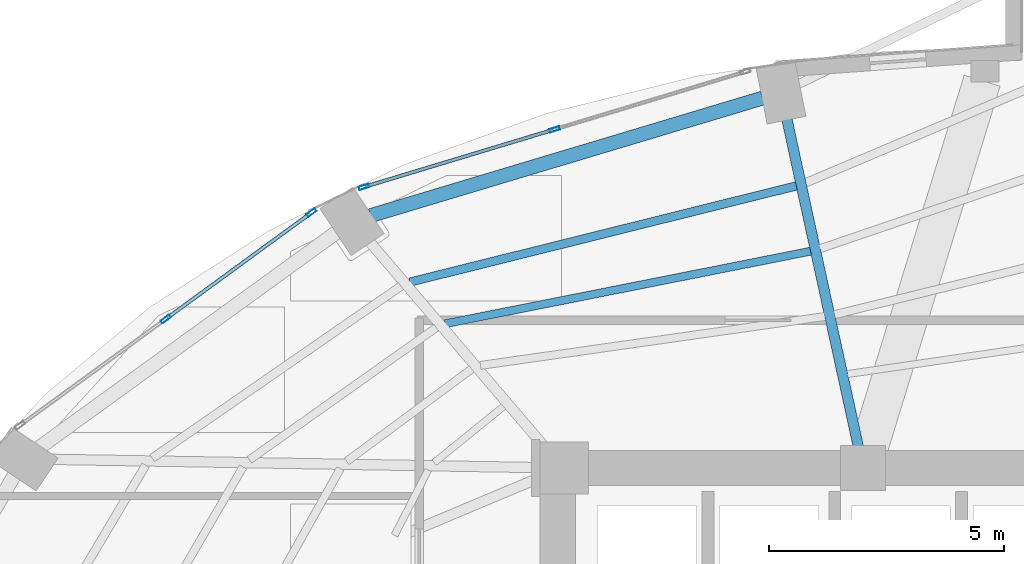
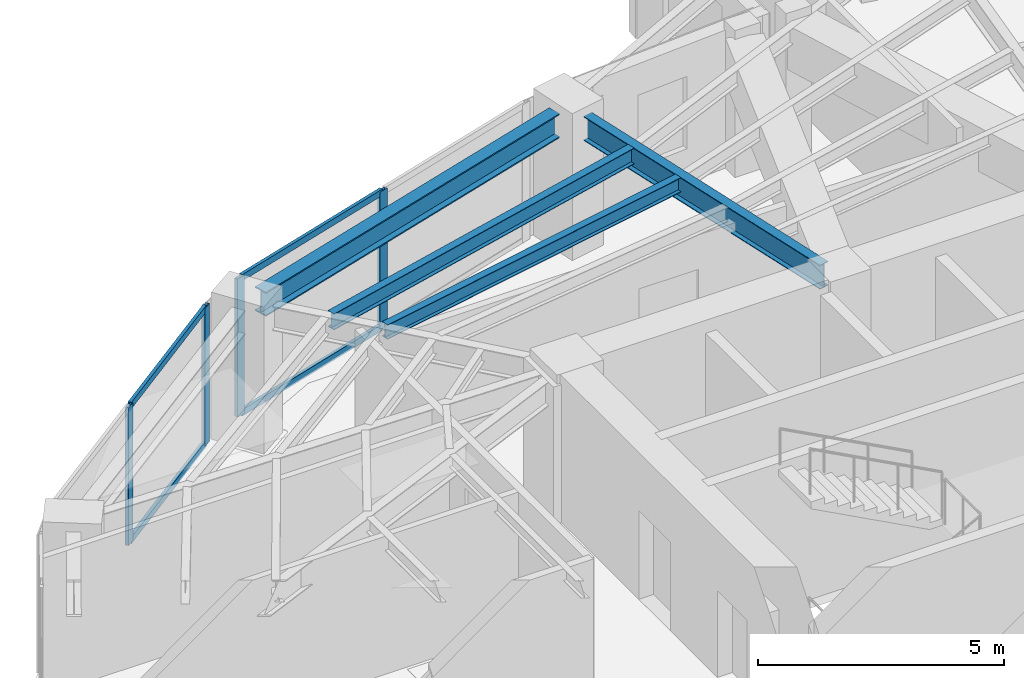
# One storey, part 14 of 23: 8 members, 4 beams, 2 elements without a shape of their own.
"""IFC4 building model written with IfcOpenShell, lengths in metres."""

from ifc_helpers import new_model, si_unit, direction, frame, origin, origin_2d, place, context, subcontext, project, spatial, hollow_rectangle, i_section, extrude, material, layer, layer_set, material_profile, profile_set, type_object, element, aggregate, save


model = new_model("IFC4")

# Units and contexts
model_context = context("Model", 3, precision=1e-05, world=origin(), true_north=direction((0.0, 1.0)))
body_context = subcontext(model_context, "Body", "Model", "MODEL_VIEW")
ifc_project = project(units=[si_unit("LENGTHUNIT", "METRE"), si_unit("AREAUNIT", "SQUARE_METRE"), si_unit("VOLUMEUNIT", "CUBIC_METRE"), si_unit("PLANEANGLEUNIT", "RADIAN"), si_unit("MASSUNIT", "GRAM", prefix="KILO")], contexts=[model_context])

# Site, building, storey
site_placement = place(None, origin())
site = spatial("IfcSite", under=ifc_project, at=site_placement, CompositionType="ELEMENT")
building_placement = place(site_placement, origin())
building = spatial("IfcBuilding", under=site, at=building_placement, Name="Lazwardi Medical Tower", CompositionType="ELEMENT")
storey_placement = place(building_placement, frame((0.0, 0.0, 92.68798828125)))
storey = spatial("IfcBuildingStorey", under=building, at=storey_placement, Name="L23", CompositionType="ELEMENT", Elevation=92.68798828125)

# Beams
ifc_material_1 = material(Name="Steel S355", Category="steel")
ifc_material_profile_1 = material_profile(ifc_material_1, i_section(OverallWidth=0.300048828125, OverallDepth=0.60009765625, WebThickness=0.015380859375, FlangeThickness=0.030029296875, at=origin_2d()), Name="HEB 600")
ifc_profile_set_1 = profile_set([ifc_material_profile_1], Name="Steel S355")
beam_type_1 = type_object("IfcBeamType", Name="BM-RB-Z2", PredefinedType="BEAM", material=ifc_profile_set_1)
beam_1_placement = place(storey_placement, frame((30.661865234375, 43.4794921875, 3.1279296875), z_axis=(-0.957879438442, -0.287170648587, 0.0), x_axis=(0.287170648587, -0.957879438442, 0.0)))
element("IfcBeam", 1, at=beam_1_placement, inside=storey, type_object=beam_type_1, Name="Ring beam RB-03 B09 L23", PredefinedType="BEAM", context=body_context, shape_type="SweptSolid", body=[
    extrude(i_section(OverallWidth=0.300048828125, OverallDepth=0.60009765625, WebThickness=0.015380859375, FlangeThickness=0.030029296875, at=origin_2d()), origin(), (0.0, 0.0, 1.0), 8.719970703125),
])
ifc_material_profile_2 = material_profile(ifc_material_1, i_section(OverallWidth=0.219970703125, OverallDepth=0.60009765625, WebThickness=0.011962890625, FlangeThickness=0.01904296875, at=origin_2d()), Name="IPE 600")
ifc_profile_set_2 = profile_set([ifc_material_profile_2], Name="Steel S355")
beam_type_2 = type_object("IfcBeamType", Name="BM-RG-W1", PredefinedType="BEAM", material=ifc_profile_set_2)
beam_2_placement = place(storey_placement, frame((31.17822265625, 43.03076171875, 3.1279296875), z_axis=(0.213228150441, -0.977002433907, 0.0), x_axis=(0.977002433907, 0.213228150441, 0.0)))
element("IfcBeam", 2, at=beam_2_placement, inside=storey, type_object=beam_type_2, Name="Radial girder RG-02 R09 L23", PredefinedType="BEAM", context=body_context, shape_type="SweptSolid", body=[
    extrude(i_section(OverallWidth=0.219970703125, OverallDepth=0.60009765625, WebThickness=0.011962890625, FlangeThickness=0.01904296875, at=origin_2d()), origin(), (0.0, 0.0, 1.0), 7.145751953125),
])
ifc_material_profile_3 = material_profile(ifc_material_1, i_section(OverallWidth=0.179931640625, OverallDepth=0.39990234375, WebThickness=0.008544921875, FlangeThickness=0.013427734375, at=origin_2d()), Name="IPE 400")
ifc_profile_set_3 = profile_set([ifc_material_profile_3], Name="Steel S355")
beam_type_3 = type_object("IfcBeamType", Name="BM-SJ-01", PredefinedType="JOIST", material=ifc_profile_set_3)
beam_3_placement = place(storey_placement, frame((31.381103515625, 41.609130859375, 3.22802734375), z_axis=(-0.970400881943, -0.241499748081, 0.0), x_axis=(0.241499748081, -0.970400881943, 0.0)))
element("IfcBeam", 3, at=beam_3_placement, inside=storey, type_object=beam_type_3, Name="Secondary joist SJ-01 R1 B09 L23", PredefinedType="JOIST", context=body_context, shape_type="SweptSolid", body=[
    extrude(i_section(OverallWidth=0.179931640625, OverallDepth=0.39990234375, WebThickness=0.008544921875, FlangeThickness=0.013427734375, at=origin_2d()), origin(), (0.0, 0.0, 1.0), 8.48583984375),
])
ifc_material_profile_4 = material_profile(ifc_material_1, i_section(OverallWidth=0.169921875, OverallDepth=0.360107421875, WebThickness=0.008056640625, FlangeThickness=0.0126953125, at=origin_2d()), Name="IPE 360")
ifc_profile_set_4 = profile_set([ifc_material_profile_4], Name="Steel S355")
beam_type_4 = type_object("IfcBeamType", Name="BM-SJ-02", PredefinedType="JOIST", material=ifc_profile_set_4)
beam_4_placement = place(storey_placement, frame((31.684814453125, 40.2177734375, 3.248046875), z_axis=(-0.980878853282, -0.194619308352, 0.0), x_axis=(0.194619308352, -0.980878853282, 0.0)))
element("IfcBeam", 4, at=beam_4_placement, inside=storey, type_object=beam_type_4, Name="Secondary joist SJ-02 R2 B09 L23", PredefinedType="JOIST", context=body_context, shape_type="SweptSolid", body=[
    extrude(i_section(OverallWidth=0.169921875, OverallDepth=0.360107421875, WebThickness=0.008056640625, FlangeThickness=0.0126953125, at=origin_2d()), origin(), (0.0, 0.0, 1.0), 7.93701171875),
])

# Curtain wall, members
ifc_material_2 = material(Name="Anodised bronze aluminium and solar control glazing", Category="aluminium")
ifc_layer = layer(ifc_material_2, 0.195068359375)
ifc_layer_set = layer_set([ifc_layer], Name="Anodised bronze aluminium and solar control glazing")
curtain_wall_type = type_object("IfcCurtainWallType", Name="CW-SYS-03", PredefinedType="NOTDEFINED", material=ifc_layer_set)
curtain_wall_1_placement = place(storey_placement, origin())
curtain_wall_1 = element("IfcCurtainWall", 5, at=curtain_wall_1_placement, inside=storey, type_object=curtain_wall_type, Name="L23 Unitised bronze curtain wall CW-03", PredefinedType="NOTDEFINED")
ifc_material_3 = material(Name="Anodised bronze aluminium", Category="aluminium")
ifc_material_profile_5 = material_profile(ifc_material_3, hollow_rectangle(XDim=0.074951171875, YDim=0.219970703125, WallThickness=0.00390625, at=origin_2d()), Name="ALU-MULLION 220x75x4")
ifc_profile_set_5 = profile_set([ifc_material_profile_5], Name="Anodised bronze aluminium")
member_type_1 = type_object("IfcMemberType", Name="CW-MUL-01", PredefinedType="MULLION", material=ifc_profile_set_5)
member_1_placement = place(storey_placement, frame((26.230712890625, 42.81298828125, 0.0), z_axis=(0.0, 0.0, 1.0), x_axis=(0.28937381157, -0.957216170558, 0.0)))
member_1 = element("IfcMember", 6, at=member_1_placement, type_object=member_type_1, Name="CW-03 mullion 2", PredefinedType="MULLION", context=body_context, shape_type="SweptSolid", body=[
    extrude(hollow_rectangle(XDim=0.074951171875, YDim=0.219970703125, WallThickness=0.00390625, at=origin_2d()), origin(), (0.0, 0.0, 1.0), 3.427978515625),
])
member_2_placement = place(storey_placement, frame((22.171630859375, 41.5859375, 0.0), z_axis=(0.0, 0.0, 1.0), x_axis=(0.28937381157, -0.957216170558, 0.0)))
member_2 = element("IfcMember", 7, at=member_2_placement, type_object=member_type_1, Name="CW-03 mullion 3", PredefinedType="MULLION", context=body_context, shape_type="SweptSolid", body=[
    extrude(hollow_rectangle(XDim=0.074951171875, YDim=0.219970703125, WallThickness=0.00390625, at=origin_2d()), origin(), (0.0, 0.0, 1.0), 3.427978515625),
])

curtain_wall_2_placement = place(storey_placement, origin())
curtain_wall_2 = element("IfcCurtainWall", 8, at=curtain_wall_2_placement, inside=storey, type_object=curtain_wall_type, Name="L23 Unitised bronze curtain wall CW-03", PredefinedType="NOTDEFINED")
member_3_placement = place(storey_placement, frame((21.052734375, 41.03955078125, 0.0), z_axis=(0.0, 0.0, 1.0), x_axis=(0.589530882802, -0.807745837639, 0.0)))
member_3 = element("IfcMember", 9, at=member_3_placement, type_object=member_type_1, Name="CW-03 mullion 1", PredefinedType="MULLION", context=body_context, shape_type="SweptSolid", body=[
    extrude(hollow_rectangle(XDim=0.074951171875, YDim=0.219970703125, WallThickness=0.00390625, at=origin_2d()), origin(), (0.0, 0.0, 1.0), 3.427978515625),
])
member_4_placement = place(storey_placement, frame((17.948974609375, 38.774169921875, 0.0), z_axis=(0.0, 0.0, 1.0), x_axis=(0.589530882802, -0.807745837639, 0.0)))
member_4 = element("IfcMember", 10, at=member_4_placement, type_object=member_type_1, Name="CW-03 mullion 2", PredefinedType="MULLION", context=body_context, shape_type="SweptSolid", body=[
    extrude(hollow_rectangle(XDim=0.074951171875, YDim=0.219970703125, WallThickness=0.00390625, at=origin_2d()), origin(), (0.0, 0.0, 1.0), 3.427978515625),
])

# Member
ifc_material_profile_6 = material_profile(ifc_material_3, hollow_rectangle(XDim=0.074951171875, YDim=0.159912109375, WallThickness=0.00390625, at=origin_2d()), Name="ALU-TRANSOM 160x75x4")
ifc_profile_set_6 = profile_set([ifc_material_profile_6], Name="Anodised bronze aluminium")
member_type_2 = type_object("IfcMemberType", Name="CW-TRN-01", PredefinedType="USERDEFINED", material=ifc_profile_set_6)
member_5_placement = place(storey_placement, frame((26.19482421875, 42.80224609375, 0.03759765625), z_axis=(-0.957220865985, -0.289358279168, 0.0), x_axis=(0.289358279168, -0.957220865985, 0.0)))
member_5 = element("IfcMember", 11, at=member_5_placement, type_object=member_type_2, Name="CW-03 transom 2.1", ObjectType="TRANSOM", PredefinedType="USERDEFINED", context=body_context, shape_type="SweptSolid", body=[
    extrude(hollow_rectangle(XDim=0.074951171875, YDim=0.159912109375, WallThickness=0.00390625, at=origin_2d()), origin(), (0.0, 0.0, 1.0), 4.16552734375),
])

member_6_placement = place(storey_placement, frame((26.19482421875, 42.80224609375, 3.390625), z_axis=(-0.957220865985, -0.289358279168, 0.0), x_axis=(0.289358279168, -0.957220865985, 0.0)))
member_6 = element("IfcMember", 12, at=member_6_placement, type_object=member_type_2, Name="CW-03 transom 2.2", ObjectType="TRANSOM", PredefinedType="USERDEFINED", context=body_context, shape_type="SweptSolid", body=[
    extrude(hollow_rectangle(XDim=0.074951171875, YDim=0.159912109375, WallThickness=0.00390625, at=origin_2d()), origin(), (0.0, 0.0, 1.0), 4.16552734375),
])

aggregate(curtain_wall_1, [member_1, member_2, member_5, member_6])

member_7_placement = place(storey_placement, frame((21.0224609375, 41.017578125, 0.03759765625), z_axis=(-0.807731734271, -0.589550206049, 0.0), x_axis=(0.589550206049, -0.807731734271, 0.0)))
member_7 = element("IfcMember", 13, at=member_7_placement, type_object=member_type_2, Name="CW-03 transom 1.1", ObjectType="TRANSOM", PredefinedType="USERDEFINED", context=body_context, shape_type="SweptSolid", body=[
    extrude(hollow_rectangle(XDim=0.074951171875, YDim=0.159912109375, WallThickness=0.00390625, at=origin_2d()), origin(), (0.0, 0.0, 1.0), 3.767578125),
])

member_8_placement = place(storey_placement, frame((21.0224609375, 41.017578125, 3.390625), z_axis=(-0.807731734271, -0.589550206049, 0.0), x_axis=(0.589550206049, -0.807731734271, 0.0)))
member_8 = element("IfcMember", 14, at=member_8_placement, type_object=member_type_2, Name="CW-03 transom 1.2", ObjectType="TRANSOM", PredefinedType="USERDEFINED", context=body_context, shape_type="SweptSolid", body=[
    extrude(hollow_rectangle(XDim=0.074951171875, YDim=0.159912109375, WallThickness=0.00390625, at=origin_2d()), origin(), (0.0, 0.0, 1.0), 3.767578125),
])

aggregate(curtain_wall_2, [member_3, member_4, member_7, member_8])

save(model, "model.ifc")
